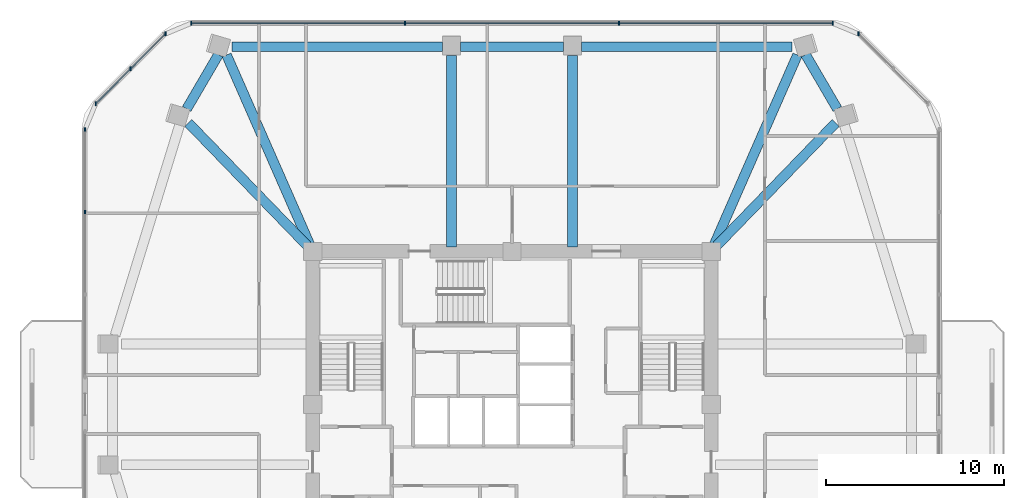
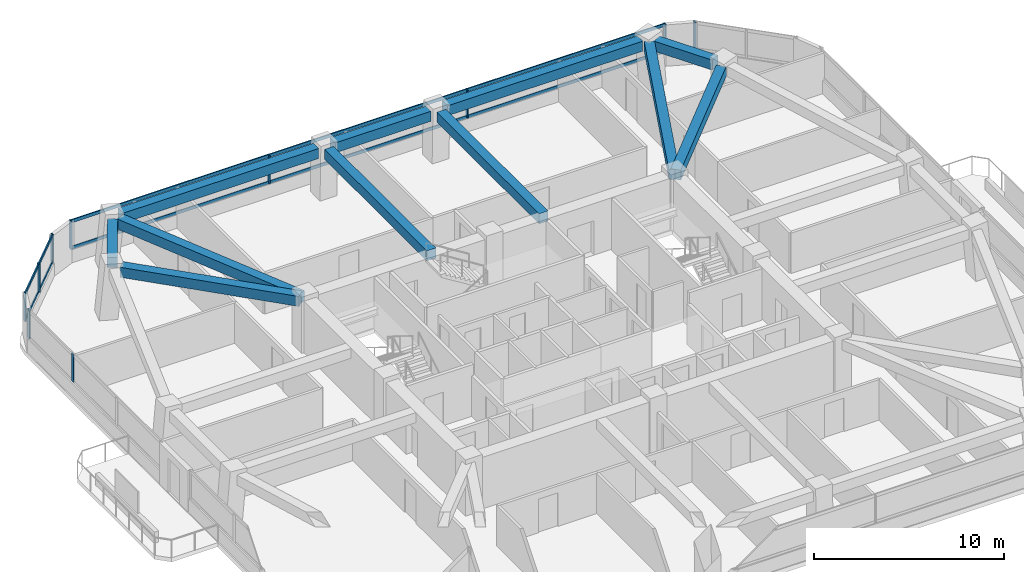
# One storey, part 6 of 14: 14 members, 11 beams, 4 elements without a shape of their own.
"""IFC4 building model written with IfcOpenShell, lengths in metres."""

from ifc_helpers import new_model, si_unit, derived_unit, direction, frame, origin, origin_2d, place, context, subcontext, project, spatial, rectangle, extrude, material, material_profile, profile_set, type_object, element, aggregate, save


model = new_model("IFC4")

# Units and contexts
model_context = context("Model", 3, precision=1e-05, world=origin(), true_north=direction((0.0, 1.0)))
body_context = subcontext(model_context, "Body", "Model", "MODEL_VIEW")
ifc_project = project(units=[si_unit("LENGTHUNIT", "METRE"), si_unit("AREAUNIT", "SQUARE_METRE"), si_unit("VOLUMEUNIT", "CUBIC_METRE"), si_unit("PLANEANGLEUNIT", "RADIAN"), si_unit("MASSUNIT", "GRAM", prefix="KILO"), derived_unit("THERMALTRANSMITTANCEUNIT", [(si_unit("POWERUNIT", "WATT"), 1), (si_unit("LENGTHUNIT", "METRE"), -2), (si_unit("THERMODYNAMICTEMPERATUREUNIT", "KELVIN"), -1)])], contexts=[model_context])

# Site, building, storey
site_placement = place(None, origin())
site = spatial("IfcSite", under=ifc_project, at=site_placement, CompositionType="ELEMENT")
building_placement = place(site_placement, origin())
building = spatial("IfcBuilding", under=site, at=building_placement, Name="Koralith Skygarden Medical Center", CompositionType="ELEMENT")
storey_placement = place(building_placement, frame((0.0, 0.0, 120.780029296875)))
storey = spatial("IfcBuildingStorey", under=building, at=storey_placement, Name="L31", CompositionType="ELEMENT", Elevation=120.780029296875)

# Curtain wall, member
ifc_material_1 = material(Name="Clear Laminated Glass", Category="glass")
curtain_wall_type = type_object("IfcCurtainWallType", Name="CW-3 Zone 2 Faceted Solar Curtain Wall", PredefinedType="NOTDEFINED", material=ifc_material_1)
curtain_wall_1_placement = place(storey_placement, origin())
curtain_wall_1 = element("IfcCurtainWall", 1, at=curtain_wall_1_placement, inside=storey, type_object=curtain_wall_type, Name="Curtain Wall CW-L31-NE", PredefinedType="NOTDEFINED")
ifc_material_2 = material(Name="Aluminium 6063-T6", Category="aluminium")
ifc_material_profile_1 = material_profile(ifc_material_2, rectangle(XDim=0.073974609375, YDim=0.219970703125, at=origin_2d()), Name="MUL74X220")
ifc_profile_set_1 = profile_set([ifc_material_profile_1], Name="Aluminium 6063-T6")
member_type_1 = type_object("IfcMemberType", Name="CW-3 Extruded Mullion 74x220", PredefinedType="MULLION", material=ifc_profile_set_1)
member_1_placement = place(storey_placement, frame((56.47509765625, 46.721923828125, 0.849853515625), z_axis=(0.0, 0.0, 1.0), x_axis=(1.0, 0.0, 0.0)))
member_1 = element("IfcMember", 2, at=member_1_placement, type_object=member_type_1, Name="CW-L31-NE Mullion 3", PredefinedType="MULLION", context=body_context, shape_type="SweptSolid", body=[
    extrude(rectangle(XDim=0.073974609375, YDim=0.219970703125, at=origin_2d()), origin(), (0.0, 0.0, 1.0), 1.800048828125),
])
aggregate(curtain_wall_1, [member_1])

# Curtain wall, members
curtain_wall_2_placement = place(storey_placement, origin())
curtain_wall_2 = element("IfcCurtainWall", 3, at=curtain_wall_2_placement, inside=storey, type_object=curtain_wall_type, Name="Curtain Wall CW-L31-N", PredefinedType="NOTDEFINED")
member_2_placement = place(storey_placement, frame((55.02392578125, 47.322998046875, 0.849853515625), z_axis=(0.0, 0.0, 1.0), x_axis=(1.0, 0.0, 0.0)))
member_2 = element("IfcMember", 4, at=member_2_placement, type_object=member_type_1, Name="CW-L31-N Mullion 1", PredefinedType="MULLION", context=body_context, shape_type="SweptSolid", body=[
    extrude(rectangle(XDim=0.073974609375, YDim=0.219970703125, at=origin_2d()), origin(), (0.0, 0.0, 1.0), 1.800048828125),
])
member_3_placement = place(storey_placement, frame((43.008056640625, 47.322998046875, 0.849853515625), z_axis=(0.0, 0.0, 1.0), x_axis=(1.0, 0.0, 0.0)))
member_3 = element("IfcMember", 5, at=member_3_placement, type_object=member_type_1, Name="CW-L31-N Mullion 2", PredefinedType="MULLION", context=body_context, shape_type="SweptSolid", body=[
    extrude(rectangle(XDim=0.073974609375, YDim=0.219970703125, at=origin_2d()), origin(), (0.0, 0.0, 1.0), 1.800048828125),
])
member_4_placement = place(storey_placement, frame((30.991943359375, 47.322998046875, 0.849853515625), z_axis=(0.0, 0.0, 1.0), x_axis=(1.0, 0.0, 0.0)))
member_4 = element("IfcMember", 6, at=member_4_placement, type_object=member_type_1, Name="CW-L31-N Mullion 3", PredefinedType="MULLION", context=body_context, shape_type="SweptSolid", body=[
    extrude(rectangle(XDim=0.073974609375, YDim=0.219970703125, at=origin_2d()), origin(), (0.0, 0.0, 1.0), 1.800048828125),
])
member_5_placement = place(storey_placement, frame((18.97607421875, 47.322998046875, 0.849853515625), z_axis=(0.0, 0.0, 1.0), x_axis=(1.0, 0.0, 0.0)))
member_5 = element("IfcMember", 7, at=member_5_placement, type_object=member_type_1, Name="CW-L31-N Mullion 4", PredefinedType="MULLION", context=body_context, shape_type="SweptSolid", body=[
    extrude(rectangle(XDim=0.073974609375, YDim=0.219970703125, at=origin_2d()), origin(), (0.0, 0.0, 1.0), 1.800048828125),
])

curtain_wall_3_placement = place(storey_placement, origin())
curtain_wall_3 = element("IfcCurtainWall", 8, at=curtain_wall_3_placement, inside=storey, type_object=curtain_wall_type, Name="Curtain Wall CW-L31-NW", PredefinedType="NOTDEFINED")
member_6_placement = place(storey_placement, frame((17.52490234375, 46.721923828125, 0.849853515625), z_axis=(0.0, 0.0, 1.0), x_axis=(1.0, 0.0, 0.0)))
member_6 = element("IfcMember", 9, at=member_6_placement, type_object=member_type_1, Name="CW-L31-NW Mullion 1", PredefinedType="MULLION", context=body_context, shape_type="SweptSolid", body=[
    extrude(rectangle(XDim=0.073974609375, YDim=0.219970703125, at=origin_2d()), origin(), (0.0, 0.0, 1.0), 1.800048828125),
])
member_7_placement = place(storey_placement, frame((15.56298828125, 44.760986328125, 0.849853515625), z_axis=(0.0, 0.0, 1.0), x_axis=(1.0, 0.0, 0.0)))
member_7 = element("IfcMember", 10, at=member_7_placement, type_object=member_type_1, Name="CW-L31-NW Mullion 2", PredefinedType="MULLION", context=body_context, shape_type="SweptSolid", body=[
    extrude(rectangle(XDim=0.073974609375, YDim=0.219970703125, at=origin_2d()), origin(), (0.0, 0.0, 1.0), 1.800048828125),
])
member_8_placement = place(storey_placement, frame((13.60205078125, 42.799072265625, 0.849853515625), z_axis=(0.0, 0.0, 1.0), x_axis=(1.0, 0.0, 0.0)))
member_8 = element("IfcMember", 11, at=member_8_placement, type_object=member_type_1, Name="CW-L31-NW Mullion 3", PredefinedType="MULLION", context=body_context, shape_type="SweptSolid", body=[
    extrude(rectangle(XDim=0.073974609375, YDim=0.219970703125, at=origin_2d()), origin(), (0.0, 0.0, 1.0), 1.800048828125),
])

curtain_wall_4_placement = place(storey_placement, origin())
curtain_wall_4 = element("IfcCurtainWall", 12, at=curtain_wall_4_placement, inside=storey, type_object=curtain_wall_type, Name="Curtain Wall CW-L31-W-L", PredefinedType="NOTDEFINED")
member_9_placement = place(storey_placement, frame((13.0, 41.347900390625, 0.849853515625), z_axis=(0.0, 0.0, 1.0), x_axis=(1.0, 0.0, 0.0)))
member_9 = element("IfcMember", 13, at=member_9_placement, type_object=member_type_1, Name="CW-L31-W-L Mullion 1", PredefinedType="MULLION", context=body_context, shape_type="SweptSolid", body=[
    extrude(rectangle(XDim=0.073974609375, YDim=0.219970703125, at=origin_2d()), origin(), (0.0, 0.0, 1.0), 1.800048828125),
])
member_10_placement = place(storey_placement, frame((13.0, 36.7119140625, 0.849853515625), z_axis=(0.0, 0.0, 1.0), x_axis=(1.0, 0.0, 0.0)))
member_10 = element("IfcMember", 14, at=member_10_placement, type_object=member_type_1, Name="CW-L31-W-L Mullion 2", PredefinedType="MULLION", context=body_context, shape_type="SweptSolid", body=[
    extrude(rectangle(XDim=0.073974609375, YDim=0.219970703125, at=origin_2d()), origin(), (0.0, 0.0, 1.0), 1.800048828125),
])
aggregate(curtain_wall_4, [member_9, member_10])

# Member
ifc_material_profile_2 = material_profile(ifc_material_2, rectangle(XDim=0.069091796875, YDim=0.197998046875, at=origin_2d()), Name="TRN69X198")
ifc_profile_set_2 = profile_set([ifc_material_profile_2], Name="Aluminium 6063-T6")
member_type_2 = type_object("IfcMemberType", Name="CW-3 Thermal Transom 69x198", PredefinedType="USERDEFINED", material=ifc_profile_set_2)
member_11_placement = place(storey_placement, frame((55.02392578125, 47.322998046875, 0.89990234375), z_axis=(-1.0, 0.0, 0.0), x_axis=(0.0, -1.0, 0.0)))
member_11 = element("IfcMember", 15, at=member_11_placement, type_object=member_type_2, Name="CW-L31-N Transom 1", ObjectType="TRANSOM", PredefinedType="USERDEFINED", context=body_context, shape_type="SweptSolid", body=[
    extrude(rectangle(XDim=0.069091796875, YDim=0.197998046875, at=origin_2d()), origin(), (0.0, 0.0, 1.0), 36.0478515625),
])

member_12_placement = place(storey_placement, frame((55.02392578125, 47.322998046875, 2.599853515625), z_axis=(-1.0, 0.0, 0.0), x_axis=(0.0, -1.0, 0.0)))
member_12 = element("IfcMember", 16, at=member_12_placement, type_object=member_type_2, Name="CW-L31-N Transom 2", ObjectType="TRANSOM", PredefinedType="USERDEFINED", context=body_context, shape_type="SweptSolid", body=[
    extrude(rectangle(XDim=0.069091796875, YDim=0.197998046875, at=origin_2d()), origin(), (0.0, 0.0, 1.0), 36.0478515625),
])

aggregate(curtain_wall_2, [member_2, member_3, member_4, member_5, member_11, member_12])

member_13_placement = place(storey_placement, frame((17.52490234375, 46.721923828125, 0.89990234375), z_axis=(-0.707106781187, -0.707106781187, 0.0), x_axis=(0.707106781187, -0.707106781187, 0.0)))
member_13 = element("IfcMember", 17, at=member_13_placement, type_object=member_type_2, Name="CW-L31-NW Transom 1", ObjectType="TRANSOM", PredefinedType="USERDEFINED", context=body_context, shape_type="SweptSolid", body=[
    extrude(rectangle(XDim=0.069091796875, YDim=0.197998046875, at=origin_2d()), origin(), (0.0, 0.0, 1.0), 5.5478515625),
])

member_14_placement = place(storey_placement, frame((17.52490234375, 46.721923828125, 2.599853515625), z_axis=(-0.707106781187, -0.707106781187, 0.0), x_axis=(0.707106781187, -0.707106781187, 0.0)))
member_14 = element("IfcMember", 18, at=member_14_placement, type_object=member_type_2, Name="CW-L31-NW Transom 2", ObjectType="TRANSOM", PredefinedType="USERDEFINED", context=body_context, shape_type="SweptSolid", body=[
    extrude(rectangle(XDim=0.069091796875, YDim=0.197998046875, at=origin_2d()), origin(), (0.0, 0.0, 1.0), 5.5478515625),
])

aggregate(curtain_wall_3, [member_6, member_7, member_8, member_13, member_14])

# Beams
ifc_material_3 = material(Name="Concrete C45/55", Category="concrete")
ifc_material_profile_3 = material_profile(ifc_material_3, rectangle(XDim=0.550048828125, YDim=0.639892578125, at=origin_2d()), Name="RCB550X640")
ifc_profile_set_3 = profile_set([ifc_material_profile_3], Name="Concrete C45/55")
beam_type_1 = type_object("IfcBeamType", Name="Radial Collector Beam RCB550X640", PredefinedType="BEAM", material=ifc_profile_set_3)
beam_1_placement = place(storey_placement, frame((48.3740234375, 34.679931640625, 2.97998046875), z_axis=(0.695726103681, 0.718307168736, 0.0), x_axis=(-0.718307168736, 0.695726103681, 0.0)))
element("IfcBeam", 19, at=beam_1_placement, inside=storey, type_object=beam_type_1, Name="L31 Radial Collector Beam RB-10", PredefinedType="BEAM", context=body_context, shape_type="SweptSolid", body=[
    extrude(rectangle(XDim=0.550048828125, YDim=0.639892578125, at=origin_2d()), origin(), (0.0, 0.0, 1.0), 9.79541015625),
])
beam_2_placement = place(storey_placement, frame((48.300048828125, 34.72900390625, 2.97998046875), z_axis=(0.401910120332, 0.915679122387, 0.0), x_axis=(-0.915679122387, 0.401910120332, 0.0)))
element("IfcBeam", 20, at=beam_2_placement, inside=storey, type_object=beam_type_1, Name="L31 Radial Collector Beam RB-11", PredefinedType="BEAM", context=body_context, shape_type="SweptSolid", body=[
    extrude(rectangle(XDim=0.550048828125, YDim=0.639892578125, at=origin_2d()), origin(), (0.0, 0.0, 1.0), 11.803466796875),
])
for number, where, z_axis, x_axis, name in (
    (21, (40.39990234375, 34.75, 2.97998046875), (0.0, 1.0, 0.0), (-1.0, 0.0, 0.0), "L31 Radial Collector Beam RB-12"),
    (22, (33.60009765625, 34.75, 2.97998046875), (0.0, 1.0, 0.0), (-1.0, 0.0, 0.0), "L31 Radial Collector Beam RB-13"),
):
    element("IfcBeam", number, at=place(storey_placement, frame(where, z_axis=z_axis, x_axis=x_axis)), inside=storey, type_object=beam_type_1, Name=name, PredefinedType="BEAM", context=body_context, shape_type="SweptSolid", body=[
        extrude(rectangle(XDim=0.550048828125, YDim=0.639892578125, at=origin_2d()), origin(), (0.0, 0.0, 1.0), 10.7451171875),
    ])
beam_3_placement = place(storey_placement, frame((25.699951171875, 34.72900390625, 2.97998046875), z_axis=(-0.401910120332, 0.915679122387, 0.0), x_axis=(-0.915679122387, -0.401910120332, 0.0)))
element("IfcBeam", 23, at=beam_3_placement, inside=storey, type_object=beam_type_1, Name="L31 Radial Collector Beam RB-14", PredefinedType="BEAM", context=body_context, shape_type="SweptSolid", body=[
    extrude(rectangle(XDim=0.550048828125, YDim=0.639892578125, at=origin_2d()), origin(), (0.0, 0.0, 1.0), 11.803466796875),
])
beam_4_placement = place(storey_placement, frame((25.6259765625, 34.679931640625, 2.97998046875), z_axis=(-0.695726103681, 0.718307168736, 0.0), x_axis=(-0.718307168736, -0.695726103681, 0.0)))
element("IfcBeam", 24, at=beam_4_placement, inside=storey, type_object=beam_type_1, Name="L31 Radial Collector Beam RB-15", PredefinedType="BEAM", context=body_context, shape_type="SweptSolid", body=[
    extrude(rectangle(XDim=0.550048828125, YDim=0.639892578125, at=origin_2d()), origin(), (0.0, 0.0, 1.0), 9.79541015625),
])
ifc_material_profile_4 = material_profile(ifc_material_3, rectangle(XDim=0.550048828125, YDim=0.639892578125, at=origin_2d()), Name="RCB550X640")
ifc_profile_set_4 = profile_set([ifc_material_profile_4], Name="Concrete C45/55")
beam_type_2 = type_object("IfcBeamType", Name="Zone 2-3 Spandrel Beam RCB550X640", PredefinedType="SPANDREL", material=ifc_profile_set_4)
beam_5_placement = place(storey_placement, frame((55.284912109375, 42.507080078125, 2.97998046875), z_axis=(-0.504972499237, 0.863135432603, 0.0), x_axis=(-0.863135432603, -0.504972499237, 0.0)))
element("IfcBeam", 25, at=beam_5_placement, inside=storey, type_object=beam_type_2, Name="L31 Perimeter Spandrel Beam SP-10", PredefinedType="SPANDREL", context=body_context, shape_type="SweptSolid", body=[
    extrude(rectangle(XDim=0.550048828125, YDim=0.639892578125, at=origin_2d()), origin(), (0.0, 0.0, 1.0), 3.54052734375),
])
beam_6_placement = place(storey_placement, frame((52.7451171875, 45.9951171875, 2.97998046875), z_axis=(-1.0, 0.0, 0.0), x_axis=(0.0, -1.0, 0.0)))
element("IfcBeam", 26, at=beam_6_placement, inside=storey, type_object=beam_type_2, Name="L31 Perimeter Spandrel Beam SP-11", PredefinedType="SPANDREL", context=body_context, shape_type="SweptSolid", body=[
    extrude(rectangle(XDim=0.550048828125, YDim=0.639892578125, at=origin_2d()), origin(), (0.0, 0.0, 1.0), 11.84521484375),
])
beam_7_placement = place(storey_placement, frame((39.89990234375, 45.9951171875, 2.97998046875), z_axis=(-1.0, 0.0, 0.0), x_axis=(0.0, -1.0, 0.0)))
element("IfcBeam", 27, at=beam_7_placement, inside=storey, type_object=beam_type_2, Name="L31 Perimeter Spandrel Beam SP-12", PredefinedType="SPANDREL", context=body_context, shape_type="SweptSolid", body=[
    extrude(rectangle(XDim=0.550048828125, YDim=0.639892578125, at=origin_2d()), origin(), (0.0, 0.0, 1.0), 5.7998046875),
])
beam_8_placement = place(storey_placement, frame((33.10009765625, 45.9951171875, 2.97998046875), z_axis=(-1.0, 0.0, 0.0), x_axis=(0.0, -1.0, 0.0)))
element("IfcBeam", 28, at=beam_8_placement, inside=storey, type_object=beam_type_2, Name="L31 Perimeter Spandrel Beam SP-13", PredefinedType="SPANDREL", context=body_context, shape_type="SweptSolid", body=[
    extrude(rectangle(XDim=0.550048828125, YDim=0.639892578125, at=origin_2d()), origin(), (0.0, 0.0, 1.0), 11.84521484375),
])
beam_9_placement = place(storey_placement, frame((20.5029296875, 45.56298828125, 2.97998046875), z_axis=(-0.504972499237, -0.863135432603, 0.0), x_axis=(0.863135432603, -0.504972499237, 0.0)))
element("IfcBeam", 29, at=beam_9_placement, inside=storey, type_object=beam_type_2, Name="L31 Perimeter Spandrel Beam SP-14", PredefinedType="SPANDREL", context=body_context, shape_type="SweptSolid", body=[
    extrude(rectangle(XDim=0.550048828125, YDim=0.639892578125, at=origin_2d()), origin(), (0.0, 0.0, 1.0), 3.54052734375),
])

save(model, "model.ifc")
